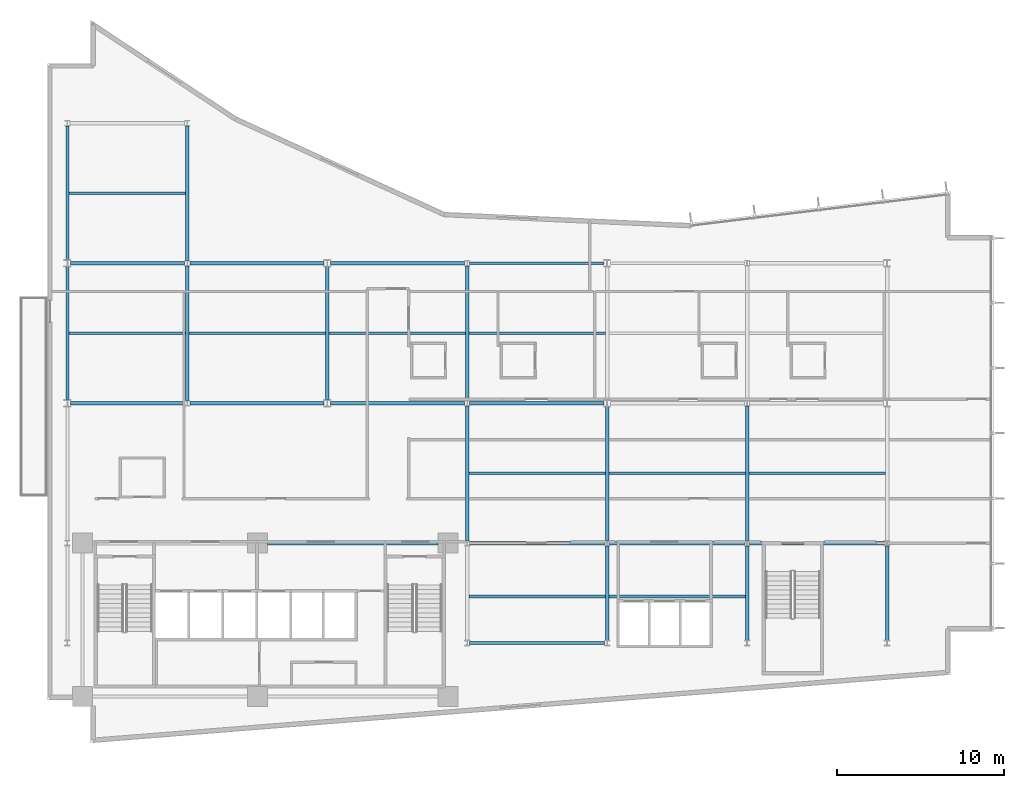
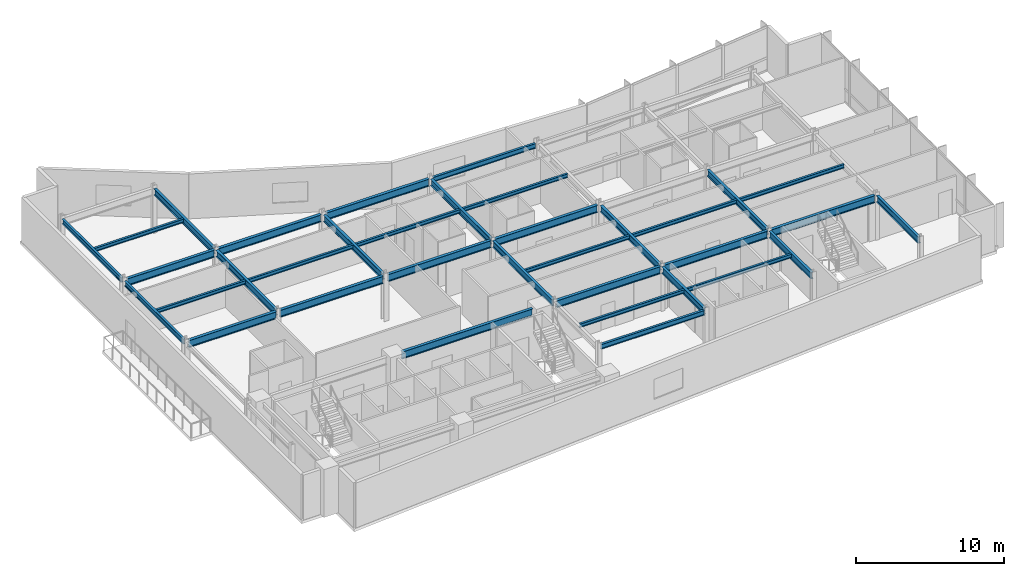
# One storey, part 4 of 17: 35 beams.
"""IFC4 building model written with IfcOpenShell, lengths in metres."""

from ifc_helpers import new_model, si_unit, direction, frame, origin, origin_2d, place, context, subcontext, project, spatial, i_section, extrude, material, material_profile, profile_set, type_object, element, save


model = new_model("IFC4")

# Units and contexts
model_context = context("Model", 3, precision=1e-05, world=origin(), true_north=direction((0.0, 1.0)))
body_context = subcontext(model_context, "Body", "Model", "MODEL_VIEW")
ifc_project = project(units=[si_unit("LENGTHUNIT", "METRE"), si_unit("AREAUNIT", "SQUARE_METRE"), si_unit("VOLUMEUNIT", "CUBIC_METRE"), si_unit("PLANEANGLEUNIT", "RADIAN"), si_unit("MASSUNIT", "GRAM", prefix="KILO")], contexts=[model_context])

# Site, building, storey
site_placement = place(None, origin())
site = spatial("IfcSite", under=ifc_project, at=site_placement, CompositionType="ELEMENT")
building_placement = place(site_placement, origin())
building = spatial("IfcBuilding", under=site, at=building_placement, Name="Varnakote Quay Hospital", CompositionType="ELEMENT")
storey_placement = place(building_placement, frame((0.0, 0.0, 146.800048828125)))
storey = spatial("IfcBuildingStorey", under=building, at=storey_placement, Name="L36", CompositionType="ELEMENT", Elevation=146.800048828125)

# Beams
ifc_material_1 = material(Name="Structural steel AS/NZS 3679.1 Grade 350 L0 (fy 340 MPa)", Category="steel")
ifc_material_profile_1 = material_profile(ifc_material_1, i_section(OverallWidth=0.208984375, OverallDepth=0.532958984375, WebThickness=0.01025390625, FlangeThickness=0.015625, FilletRadius=0.013916015625, at=origin_2d()), Name="530UB92.4")
ifc_profile_set_1 = profile_set([ifc_material_profile_1], Name="Structural steel AS/NZS 3679.1 Grade 350 L0 (fy 340 MPa)")
beam_type_1 = type_object("IfcBeamType", Name="BM-STL-530UB92-4", PredefinedType="BEAM", material=ifc_profile_set_1)
for number, where, z_axis, x_axis, name in (
    (1, (8.39990234375, 20.5576171875, 3.443359375), (0.0, 1.0, 0.0), (-1.0, 0.0, 0.0), "L36 Primary Tie Beam"),
    (2, (8.39990234375, 28.95751953125, 3.443359375), (0.0, 1.0, 0.0), (-1.0, 0.0, 0.0), "L36 Primary Tie Beam"),
):
    element("IfcBeam", number, at=place(storey_placement, frame(where, z_axis=z_axis, x_axis=x_axis)), inside=storey, type_object=beam_type_1, Name=name, PredefinedType="BEAM", context=body_context, shape_type="SweptSolid", body=[
        extrude(i_section(OverallWidth=0.208984375, OverallDepth=0.532958984375, WebThickness=0.01025390625, FlangeThickness=0.015625, FilletRadius=0.013916015625, at=origin_2d()), origin(), (0.0, 0.0, 1.0), 8.0849609375),
    ])
beam_1_placement = place(storey_placement, frame((16.800048828125, 20.610107421875, 3.443359375), z_axis=(0.0, 1.0, 0.0), x_axis=(-1.0, 0.0, 0.0)))
element("IfcBeam", 3, at=beam_1_placement, inside=storey, type_object=beam_type_1, Name="L36 Primary Tie Beam", PredefinedType="BEAM", context=body_context, shape_type="SweptSolid", body=[
    extrude(i_section(OverallWidth=0.208984375, OverallDepth=0.532958984375, WebThickness=0.01025390625, FlangeThickness=0.015625, FilletRadius=0.013916015625, at=origin_2d()), origin(), (0.0, 0.0, 1.0), 7.97998046875),
])
for number, where, z_axis, x_axis, name in (
    (4, (25.199951171875, 12.157470703125, 3.443359375), (0.0, 1.0, 0.0), (-1.0, 0.0, 0.0), "L36 Primary Tie Beam"),
    (5, (25.199951171875, 20.5576171875, 3.443359375), (0.0, 1.0, 0.0), (-1.0, 0.0, 0.0), "L36 Primary Tie Beam"),
):
    element("IfcBeam", number, at=place(storey_placement, frame(where, z_axis=z_axis, x_axis=x_axis)), inside=storey, type_object=beam_type_1, Name=name, PredefinedType="BEAM", context=body_context, shape_type="SweptSolid", body=[
        extrude(i_section(OverallWidth=0.208984375, OverallDepth=0.532958984375, WebThickness=0.01025390625, FlangeThickness=0.015625, FilletRadius=0.013916015625, at=origin_2d()), origin(), (0.0, 0.0, 1.0), 8.0849609375),
    ])
beam_2_placement = place(storey_placement, frame((33.60009765625, 6.157470703125, 3.443359375), z_axis=(0.0, 1.0, 0.0), x_axis=(-1.0, 0.0, 0.0)))
element("IfcBeam", 6, at=beam_2_placement, inside=storey, type_object=beam_type_1, Name="L36 Primary Tie Beam", PredefinedType="BEAM", context=body_context, shape_type="SweptSolid", body=[
    extrude(i_section(OverallWidth=0.208984375, OverallDepth=0.532958984375, WebThickness=0.01025390625, FlangeThickness=0.015625, FilletRadius=0.013916015625, at=origin_2d()), origin(), (0.0, 0.0, 1.0), 5.68505859375),
])
beam_3_placement = place(storey_placement, frame((33.60009765625, 12.157470703125, 3.443359375), z_axis=(0.0, 1.0, 0.0), x_axis=(-1.0, 0.0, 0.0)))
element("IfcBeam", 7, at=beam_3_placement, inside=storey, type_object=beam_type_1, Name="L36 Primary Tie Beam", PredefinedType="BEAM", context=body_context, shape_type="SweptSolid", body=[
    extrude(i_section(OverallWidth=0.208984375, OverallDepth=0.532958984375, WebThickness=0.01025390625, FlangeThickness=0.015625, FilletRadius=0.013916015625, at=origin_2d()), origin(), (0.0, 0.0, 1.0), 8.032470703125),
])
beam_4_placement = place(storey_placement, frame((42.0, 6.157470703125, 3.443359375), z_axis=(0.0, 1.0, 0.0), x_axis=(-1.0, 0.0, 0.0)))
element("IfcBeam", 8, at=beam_4_placement, inside=storey, type_object=beam_type_1, Name="L36 Primary Tie Beam", PredefinedType="BEAM", context=body_context, shape_type="SweptSolid", body=[
    extrude(i_section(OverallWidth=0.208984375, OverallDepth=0.532958984375, WebThickness=0.01025390625, FlangeThickness=0.015625, FilletRadius=0.013916015625, at=origin_2d()), origin(), (0.0, 0.0, 1.0), 5.68505859375),
])
beam_5_placement = place(storey_placement, frame((42.0, 12.157470703125, 3.443359375), z_axis=(0.0, 1.0, 0.0), x_axis=(-1.0, 0.0, 0.0)))
element("IfcBeam", 9, at=beam_5_placement, inside=storey, type_object=beam_type_1, Name="L36 Primary Tie Beam", PredefinedType="BEAM", context=body_context, shape_type="SweptSolid", body=[
    extrude(i_section(OverallWidth=0.208984375, OverallDepth=0.532958984375, WebThickness=0.01025390625, FlangeThickness=0.015625, FilletRadius=0.013916015625, at=origin_2d()), origin(), (0.0, 0.0, 1.0), 8.0849609375),
])
beam_6_placement = place(storey_placement, frame((50.39990234375, 6.157470703125, 3.443359375), z_axis=(0.0, 1.0, 0.0), x_axis=(-1.0, 0.0, 0.0)))
element("IfcBeam", 10, at=beam_6_placement, inside=storey, type_object=beam_type_1, Name="L36 Primary Tie Beam", PredefinedType="BEAM", context=body_context, shape_type="SweptSolid", body=[
    extrude(i_section(OverallWidth=0.208984375, OverallDepth=0.532958984375, WebThickness=0.01025390625, FlangeThickness=0.015625, FilletRadius=0.013916015625, at=origin_2d()), origin(), (0.0, 0.0, 1.0), 5.68505859375),
])
ifc_material_2 = material(Name="Structural steel AS/NZS 3679.1 Grade 350 L0 (fy 340 MPa)", Category="steel")
ifc_material_profile_2 = material_profile(ifc_material_2, i_section(OverallWidth=0.22802734375, OverallDepth=0.60205078125, WebThickness=0.010498046875, FlangeThickness=0.014892578125, FilletRadius=0.013916015625, at=origin_2d()), Name="610UB101")
ifc_profile_set_2 = profile_set([ifc_material_profile_2], Name="Structural steel AS/NZS 3679.1 Grade 350 L0 (fy 340 MPa)")
beam_type_2 = type_object("IfcBeamType", Name="BM-STL-610UB101", PredefinedType="BEAM", material=ifc_profile_set_2)
beam_7_placement = place(storey_placement, frame((13.219970703125, 12.0, 3.408935546875), z_axis=(1.0, 0.0, 0.0), x_axis=(0.0, 1.0, 0.0)))
element("IfcBeam", 11, at=beam_7_placement, inside=storey, type_object=beam_type_2, Name="L36 Primary Floor Beam", PredefinedType="BEAM", context=body_context, shape_type="SweptSolid", body=[
    extrude(i_section(OverallWidth=0.22802734375, OverallDepth=0.60205078125, WebThickness=0.010498046875, FlangeThickness=0.014892578125, FilletRadius=0.013916015625, at=origin_2d()), origin(), (0.0, 0.0, 1.0), 10.22998046875),
])
for number, where, z_axis, x_axis, name in (
    (12, (25.353515625, 12.0, 3.408935546875), (1.0, 0.0, 0.0), (0.0, 1.0, 0.0), "L36 Primary Floor Beam"),
    (13, (33.75341796875, 12.0, 3.408935546875), (1.0, 0.0, 0.0), (0.0, 1.0, 0.0), "L36 Primary Floor Beam"),
    (14, (42.153564453125, 12.0, 3.408935546875), (1.0, 0.0, 0.0), (0.0, 1.0, 0.0), "L36 Primary Floor Beam"),
):
    element("IfcBeam", number, at=place(storey_placement, frame(where, z_axis=z_axis, x_axis=x_axis)), inside=storey, type_object=beam_type_2, Name=name, PredefinedType="BEAM", context=body_context, shape_type="SweptSolid", body=[
        extrude(i_section(OverallWidth=0.22802734375, OverallDepth=0.60205078125, WebThickness=0.010498046875, FlangeThickness=0.014892578125, FilletRadius=0.013916015625, at=origin_2d()), origin(), (0.0, 0.0, 1.0), 8.093017578125),
    ])
beam_8_placement = place(storey_placement, frame((1.39990234375, 20.39990234375, 3.408935546875), z_axis=(1.0, 0.0, 0.0), x_axis=(0.0, 1.0, 0.0)))
element("IfcBeam", 15, at=beam_8_placement, inside=storey, type_object=beam_type_2, Name="L36 Primary Floor Beam", PredefinedType="BEAM", context=body_context, shape_type="SweptSolid", body=[
    extrude(i_section(OverallWidth=0.22802734375, OverallDepth=0.60205078125, WebThickness=0.010498046875, FlangeThickness=0.014892578125, FilletRadius=0.013916015625, at=origin_2d()), origin(), (0.0, 0.0, 1.0), 6.8466796875),
])
beam_9_placement = place(storey_placement, frame((8.553466796875, 20.39990234375, 3.408935546875), z_axis=(1.0, 0.0, 0.0), x_axis=(0.0, 1.0, 0.0)))
element("IfcBeam", 16, at=beam_9_placement, inside=storey, type_object=beam_type_2, Name="L36 Primary Floor Beam", PredefinedType="BEAM", context=body_context, shape_type="SweptSolid", body=[
    extrude(i_section(OverallWidth=0.22802734375, OverallDepth=0.60205078125, WebThickness=0.010498046875, FlangeThickness=0.014892578125, FilletRadius=0.013916015625, at=origin_2d()), origin(), (0.0, 0.0, 1.0), 8.046630859375),
])
for number, where, z_axis, x_axis, name in (
    (17, (17.0, 20.39990234375, 3.408935546875), (1.0, 0.0, 0.0), (0.0, 1.0, 0.0), "L36 Primary Floor Beam"),
    (18, (25.353515625, 20.39990234375, 3.408935546875), (1.0, 0.0, 0.0), (0.0, 1.0, 0.0), "L36 Primary Floor Beam"),
):
    element("IfcBeam", number, at=place(storey_placement, frame(where, z_axis=z_axis, x_axis=x_axis)), inside=storey, type_object=beam_type_2, Name=name, PredefinedType="BEAM", context=body_context, shape_type="SweptSolid", body=[
        extrude(i_section(OverallWidth=0.22802734375, OverallDepth=0.60205078125, WebThickness=0.010498046875, FlangeThickness=0.014892578125, FilletRadius=0.013916015625, at=origin_2d()), origin(), (0.0, 0.0, 1.0), 8.04638671875),
    ])
beam_10_placement = place(storey_placement, frame((1.39990234375, 28.800048828125, 3.408935546875), z_axis=(1.0, 0.0, 0.0), x_axis=(0.0, 1.0, 0.0)))
element("IfcBeam", 19, at=beam_10_placement, inside=storey, type_object=beam_type_2, Name="L36 Primary Floor Beam", PredefinedType="BEAM", context=body_context, shape_type="SweptSolid", body=[
    extrude(i_section(OverallWidth=0.22802734375, OverallDepth=0.60205078125, WebThickness=0.010498046875, FlangeThickness=0.014892578125, FilletRadius=0.013916015625, at=origin_2d()), origin(), (0.0, 0.0, 1.0), 6.8466796875),
])
beam_11_placement = place(storey_placement, frame((8.553466796875, 28.800048828125, 3.408935546875), z_axis=(1.0, 0.0, 0.0), x_axis=(0.0, 1.0, 0.0)))
element("IfcBeam", 20, at=beam_11_placement, inside=storey, type_object=beam_type_2, Name="L36 Primary Floor Beam", PredefinedType="BEAM", context=body_context, shape_type="SweptSolid", body=[
    extrude(i_section(OverallWidth=0.22802734375, OverallDepth=0.60205078125, WebThickness=0.010498046875, FlangeThickness=0.014892578125, FilletRadius=0.013916015625, at=origin_2d()), origin(), (0.0, 0.0, 1.0), 8.046630859375),
])
beam_12_placement = place(storey_placement, frame((17.0, 28.800048828125, 3.408935546875), z_axis=(1.0, 0.0, 0.0), x_axis=(0.0, 1.0, 0.0)))
element("IfcBeam", 21, at=beam_12_placement, inside=storey, type_object=beam_type_2, Name="L36 Primary Floor Beam", PredefinedType="BEAM", context=body_context, shape_type="SweptSolid", body=[
    extrude(i_section(OverallWidth=0.22802734375, OverallDepth=0.60205078125, WebThickness=0.010498046875, FlangeThickness=0.014892578125, FilletRadius=0.013916015625, at=origin_2d()), origin(), (0.0, 0.0, 1.0), 8.04638671875),
])
ifc_material_3 = material(Name="Structural steel AS/NZS 3679.1 Grade 350 L0 (fy 340 MPa)", Category="steel")
ifc_material_profile_3 = material_profile(ifc_material_3, i_section(OverallWidth=0.166015625, OverallDepth=0.306884765625, WebThickness=0.006591796875, FlangeThickness=0.01171875, FilletRadius=0.011474609375, at=origin_2d()), Name="310UB46.2")
ifc_profile_set_3 = profile_set([ifc_material_profile_3], Name="Structural steel AS/NZS 3679.1 Grade 350 L0 (fy 340 MPa)")
beam_type_3 = type_object("IfcBeamType", Name="JST-STL-310UB46-2", PredefinedType="JOIST", material=ifc_profile_set_3)
beam_13_placement = place(storey_placement, frame((25.304443359375, 8.800048828125, 3.556396484375), z_axis=(1.0, 0.0, 0.0), x_axis=(0.0, 1.0, 0.0)))
element("IfcBeam", 22, at=beam_13_placement, inside=storey, type_object=beam_type_3, Name="L36 Composite Floor Joist", PredefinedType="JOIST", context=body_context, shape_type="SweptSolid", body=[
    extrude(i_section(OverallWidth=0.166015625, OverallDepth=0.306884765625, WebThickness=0.006591796875, FlangeThickness=0.01171875, FilletRadius=0.011474609375, at=origin_2d()), origin(), (0.0, 0.0, 1.0), 8.191162109375),
])
beam_14_placement = place(storey_placement, frame((33.70458984375, 8.800048828125, 3.556396484375), z_axis=(1.0, 0.0, 0.0), x_axis=(0.0, 1.0, 0.0)))
element("IfcBeam", 23, at=beam_14_placement, inside=storey, type_object=beam_type_3, Name="L36 Composite Floor Joist", PredefinedType="JOIST", context=body_context, shape_type="SweptSolid", body=[
    extrude(i_section(OverallWidth=0.166015625, OverallDepth=0.306884765625, WebThickness=0.006591796875, FlangeThickness=0.01171875, FilletRadius=0.011474609375, at=origin_2d()), origin(), (0.0, 0.0, 1.0), 8.19091796875),
])
beam_15_placement = place(storey_placement, frame((25.304443359375, 16.199951171875, 3.556396484375), z_axis=(1.0, 0.0, 0.0), x_axis=(0.0, 1.0, 0.0)))
element("IfcBeam", 24, at=beam_15_placement, inside=storey, type_object=beam_type_3, Name="L36 Composite Floor Joist", PredefinedType="JOIST", context=body_context, shape_type="SweptSolid", body=[
    extrude(i_section(OverallWidth=0.166015625, OverallDepth=0.306884765625, WebThickness=0.006591796875, FlangeThickness=0.01171875, FilletRadius=0.011474609375, at=origin_2d()), origin(), (0.0, 0.0, 1.0), 8.191162109375),
])
for number, where, z_axis, x_axis, name in (
    (25, (33.70458984375, 16.199951171875, 3.556396484375), (1.0, 0.0, 0.0), (0.0, 1.0, 0.0), "L36 Composite Floor Joist"),
    (26, (42.1044921875, 16.199951171875, 3.556396484375), (1.0, 0.0, 0.0), (0.0, 1.0, 0.0), "L36 Composite Floor Joist"),
):
    element("IfcBeam", number, at=place(storey_placement, frame(where, z_axis=z_axis, x_axis=x_axis)), inside=storey, type_object=beam_type_3, Name=name, PredefinedType="JOIST", context=body_context, shape_type="SweptSolid", body=[
        extrude(i_section(OverallWidth=0.166015625, OverallDepth=0.306884765625, WebThickness=0.006591796875, FlangeThickness=0.01171875, FilletRadius=0.011474609375, at=origin_2d()), origin(), (0.0, 0.0, 1.0), 8.19091796875),
    ])
beam_16_placement = place(storey_placement, frame((1.2890625, 24.60009765625, 3.556396484375), z_axis=(1.0, 0.0, 0.0), x_axis=(0.0, 1.0, 0.0)))
element("IfcBeam", 27, at=beam_16_placement, inside=storey, type_object=beam_type_3, Name="L36 Composite Floor Joist", PredefinedType="JOIST", context=body_context, shape_type="SweptSolid", body=[
    extrude(i_section(OverallWidth=0.166015625, OverallDepth=0.306884765625, WebThickness=0.006591796875, FlangeThickness=0.01171875, FilletRadius=0.011474609375, at=origin_2d()), origin(), (0.0, 0.0, 1.0), 7.00634765625),
])
beam_17_placement = place(storey_placement, frame((8.50439453125, 24.60009765625, 3.556396484375), z_axis=(1.0, 0.0, 0.0), x_axis=(0.0, 1.0, 0.0)))
element("IfcBeam", 28, at=beam_17_placement, inside=storey, type_object=beam_type_3, Name="L36 Composite Floor Joist", PredefinedType="JOIST", context=body_context, shape_type="SweptSolid", body=[
    extrude(i_section(OverallWidth=0.166015625, OverallDepth=0.306884765625, WebThickness=0.006591796875, FlangeThickness=0.01171875, FilletRadius=0.011474609375, at=origin_2d()), origin(), (0.0, 0.0, 1.0), 8.191162109375),
])
beam_18_placement = place(storey_placement, frame((16.904541015625, 24.60009765625, 3.556396484375), z_axis=(1.0, 0.0, 0.0), x_axis=(0.0, 1.0, 0.0)))
element("IfcBeam", 29, at=beam_18_placement, inside=storey, type_object=beam_type_3, Name="L36 Composite Floor Joist", PredefinedType="JOIST", context=body_context, shape_type="SweptSolid", body=[
    extrude(i_section(OverallWidth=0.166015625, OverallDepth=0.306884765625, WebThickness=0.006591796875, FlangeThickness=0.01171875, FilletRadius=0.011474609375, at=origin_2d()), origin(), (0.0, 0.0, 1.0), 8.19091796875),
])
beam_19_placement = place(storey_placement, frame((25.304443359375, 24.60009765625, 3.556396484375), z_axis=(1.0, 0.0, 0.0), x_axis=(0.0, 1.0, 0.0)))
element("IfcBeam", 30, at=beam_19_placement, inside=storey, type_object=beam_type_3, Name="L36 Composite Floor Joist", PredefinedType="JOIST", context=body_context, shape_type="SweptSolid", body=[
    extrude(i_section(OverallWidth=0.166015625, OverallDepth=0.306884765625, WebThickness=0.006591796875, FlangeThickness=0.01171875, FilletRadius=0.011474609375, at=origin_2d()), origin(), (0.0, 0.0, 1.0), 8.191162109375),
])
beam_20_placement = place(storey_placement, frame((1.2890625, 33.0, 3.556396484375), z_axis=(1.0, 0.0, 0.0), x_axis=(0.0, 1.0, 0.0)))
element("IfcBeam", 31, at=beam_20_placement, inside=storey, type_object=beam_type_3, Name="L36 Composite Floor Joist", PredefinedType="JOIST", context=body_context, shape_type="SweptSolid", body=[
    extrude(i_section(OverallWidth=0.166015625, OverallDepth=0.306884765625, WebThickness=0.006591796875, FlangeThickness=0.01171875, FilletRadius=0.011474609375, at=origin_2d()), origin(), (0.0, 0.0, 1.0), 7.00634765625),
])
ifc_material_4 = material(Name="Structural steel AS/NZS 3679.1 Grade 350 L0 (fy 340 MPa)", Category="steel")
ifc_material_profile_4 = material_profile(ifc_material_4, i_section(OverallWidth=0.177978515625, OverallDepth=0.403076171875, WebThickness=0.007568359375, FlangeThickness=0.010986328125, FilletRadius=0.011474609375, at=origin_2d()), Name="410UB53.7")
ifc_profile_set_4 = profile_set([ifc_material_profile_4], Name="Structural steel AS/NZS 3679.1 Grade 350 L0 (fy 340 MPa)")
beam_type_4 = type_object("IfcBeamType", Name="SPN-STL-410UB53-7", PredefinedType="SPANDREL", material=ifc_profile_set_4)
beam_21_placement = place(storey_placement, frame((1.199951171875, 20.610107421875, 3.508544921875), z_axis=(0.0, 1.0, 0.0), x_axis=(-1.0, 0.0, 0.0)))
element("IfcBeam", 32, at=beam_21_placement, inside=storey, type_object=beam_type_4, Name="L36 Perimeter Spandrel Beam", PredefinedType="SPANDREL", context=body_context, shape_type="SweptSolid", body=[
    extrude(i_section(OverallWidth=0.177978515625, OverallDepth=0.403076171875, WebThickness=0.007568359375, FlangeThickness=0.010986328125, FilletRadius=0.011474609375, at=origin_2d()), origin(), (0.0, 0.0, 1.0), 7.97998046875),
])
beam_22_placement = place(storey_placement, frame((1.199951171875, 29.010009765625, 3.508544921875), z_axis=(0.0, 1.0, 0.0), x_axis=(-1.0, 0.0, 0.0)))
element("IfcBeam", 33, at=beam_22_placement, inside=storey, type_object=beam_type_4, Name="L36 Perimeter Spandrel Beam", PredefinedType="SPANDREL", context=body_context, shape_type="SweptSolid", body=[
    extrude(i_section(OverallWidth=0.177978515625, OverallDepth=0.403076171875, WebThickness=0.007568359375, FlangeThickness=0.010986328125, FilletRadius=0.011474609375, at=origin_2d()), origin(), (0.0, 0.0, 1.0), 8.032470703125),
])
ifc_material_5 = material(Name="Structural steel AS/NZS 3679.1 Grade 350 L0 (fy 340 MPa)", Category="steel")
ifc_material_profile_5 = material_profile(ifc_material_5, i_section(OverallWidth=0.177978515625, OverallDepth=0.406005859375, WebThickness=0.0078125, FlangeThickness=0.0126953125, FilletRadius=0.011474609375, at=origin_2d()), Name="410UB59.7")
ifc_profile_set_5 = profile_set([ifc_material_profile_5], Name="Structural steel AS/NZS 3679.1 Grade 350 L0 (fy 340 MPa)")
beam_type_5 = type_object("IfcBeamType", Name="SPN-STL-410UB59-7", PredefinedType="SPANDREL", material=ifc_profile_set_5)
beam_23_placement = place(storey_placement, frame((25.353515625, 6.0, 3.5068359375), z_axis=(1.0, 0.0, 0.0), x_axis=(0.0, 1.0, 0.0)))
element("IfcBeam", 34, at=beam_23_placement, inside=storey, type_object=beam_type_5, Name="L36 Perimeter Spandrel Beam", PredefinedType="SPANDREL", context=body_context, shape_type="SweptSolid", body=[
    extrude(i_section(OverallWidth=0.177978515625, OverallDepth=0.406005859375, WebThickness=0.0078125, FlangeThickness=0.0126953125, FilletRadius=0.011474609375, at=origin_2d()), origin(), (0.0, 0.0, 1.0), 8.093017578125),
])
beam_24_placement = place(storey_placement, frame((25.353515625, 28.800048828125, 3.5068359375), z_axis=(1.0, 0.0, 0.0), x_axis=(0.0, 1.0, 0.0)))
element("IfcBeam", 35, at=beam_24_placement, inside=storey, type_object=beam_type_5, Name="L36 Perimeter Spandrel Beam", PredefinedType="SPANDREL", context=body_context, shape_type="SweptSolid", body=[
    extrude(i_section(OverallWidth=0.177978515625, OverallDepth=0.406005859375, WebThickness=0.0078125, FlangeThickness=0.0126953125, FilletRadius=0.011474609375, at=origin_2d()), origin(), (0.0, 0.0, 1.0), 8.04638671875),
])

save(model, "model.ifc")
